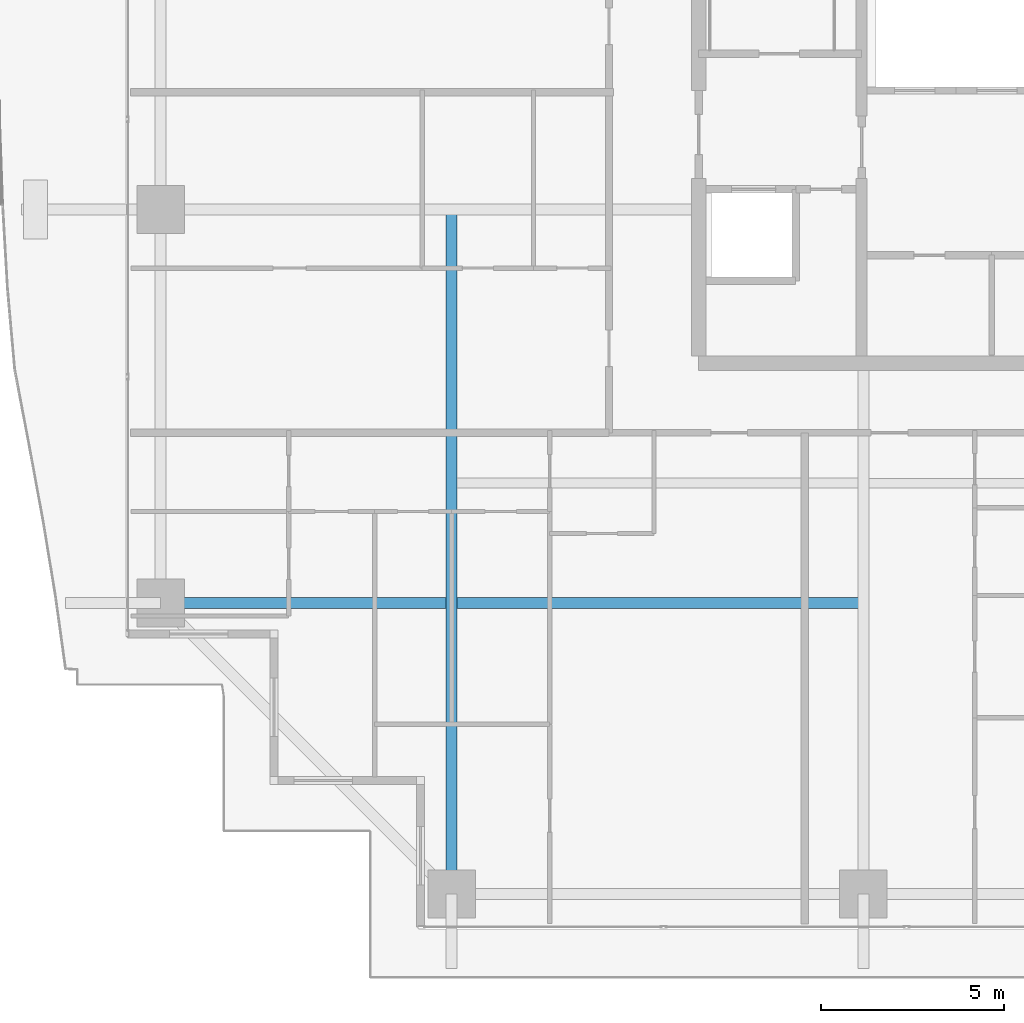
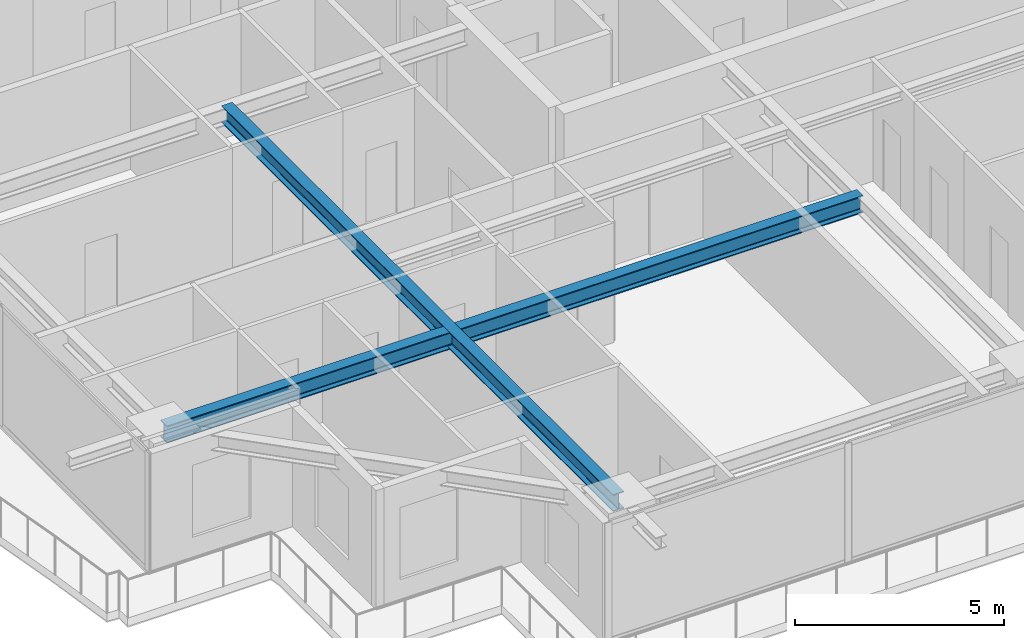
# One storey, part 4 of 39: 2 beams.
"""IFC4 building model written with IfcOpenShell, lengths in metres."""

from ifc_helpers import new_model, si_unit, direction, frame, origin, origin_2d, place, context, subcontext, project, spatial, i_section, extrude, source, transform, mapped, material, material_profile, profile_set, type_object, element, save


model = new_model("IFC4")

# Units and contexts
model_context = context("Model", 3, precision=1e-05, world=origin(), true_north=direction((0.0, 1.0)))
body_context = subcontext(model_context, "Body", "Model", "MODEL_VIEW")
ifc_project = project(units=[si_unit("LENGTHUNIT", "METRE"), si_unit("AREAUNIT", "SQUARE_METRE"), si_unit("VOLUMEUNIT", "CUBIC_METRE"), si_unit("PLANEANGLEUNIT", "RADIAN"), si_unit("MASSUNIT", "GRAM", prefix="KILO")], contexts=[model_context])

# Site, building, storey
site_placement = place(None, origin())
site = spatial("IfcSite", under=ifc_project, at=site_placement, CompositionType="ELEMENT")
building_placement = place(site_placement, origin())
building = spatial("IfcBuilding", under=site, at=building_placement, Name="Serunith Strait Residences", CompositionType="ELEMENT")
storey_placement = place(building_placement, frame((0.0, 0.0, 123.89990234375)))
storey = spatial("IfcBuildingStorey", under=building, at=storey_placement, Name="L30", CompositionType="ELEMENT", Elevation=123.89990234375)

# Beams
ifc_material = material(Name="Steel S355J2", Category="steel")
ifc_material_profile = material_profile(ifc_material, i_section(OverallWidth=0.300048828125, OverallDepth=0.5, WebThickness=0.014404296875, FlangeThickness=0.028076171875, FilletRadius=0.027099609375, at=origin_2d()), Name="HEB 500")
ifc_profile_set = profile_set([ifc_material_profile], Name="Steel S355J2")
beam_type = type_object("IfcBeamType", Name="BM-HEB500", PredefinedType="BEAM", material=ifc_profile_set)
shared_shape_1 = source(origin(), body_context, "Body", "SweptSolid", [
    extrude(i_section(OverallWidth=0.300048828125, OverallDepth=0.5, WebThickness=0.014404296875, FlangeThickness=0.028076171875, FilletRadius=0.027099609375, at=origin_2d()), origin(), (0.0, 0.0, 1.0), 18.699951171875),
])
beam_1_placement = place(storey_placement, frame((16.64990234375, 21.0, 3.237060546875), z_axis=(0.0, -1.0, 0.0), x_axis=(1.0, 0.0, 0.0)))
element("IfcBeam", 1, at=beam_1_placement, inside=storey, type_object=beam_type, Name="L30 Orthogonal Corner Girder TC-S1", PredefinedType="BEAM", context=body_context, shape_type="MappedRepresentation", body=[
    mapped(shared_shape_1, transform((0.0, 0.0, 0.0), scale=1.0)),
])
shared_shape_2 = source(origin(), body_context, "Body", "SweptSolid", [
    extrude(i_section(OverallWidth=0.300048828125, OverallDepth=0.5, WebThickness=0.014404296875, FlangeThickness=0.028076171875, FilletRadius=0.027099609375, at=origin_2d()), origin(), (0.0, 0.0, 1.0), 19.199951171875),
])
beam_2_placement = place(storey_placement, frame((27.89990234375, 10.25, 3.237060546875), z_axis=(-1.0, 0.0, 0.0), x_axis=(0.0, -1.0, 0.0)))
element("IfcBeam", 2, at=beam_2_placement, inside=storey, type_object=beam_type, Name="L30 Orthogonal Corner Girder TC-W1", PredefinedType="BEAM", context=body_context, shape_type="MappedRepresentation", body=[
    mapped(shared_shape_2, transform((0.0, 0.0, 0.0), scale=1.0)),
])

save(model, "model.ifc")
